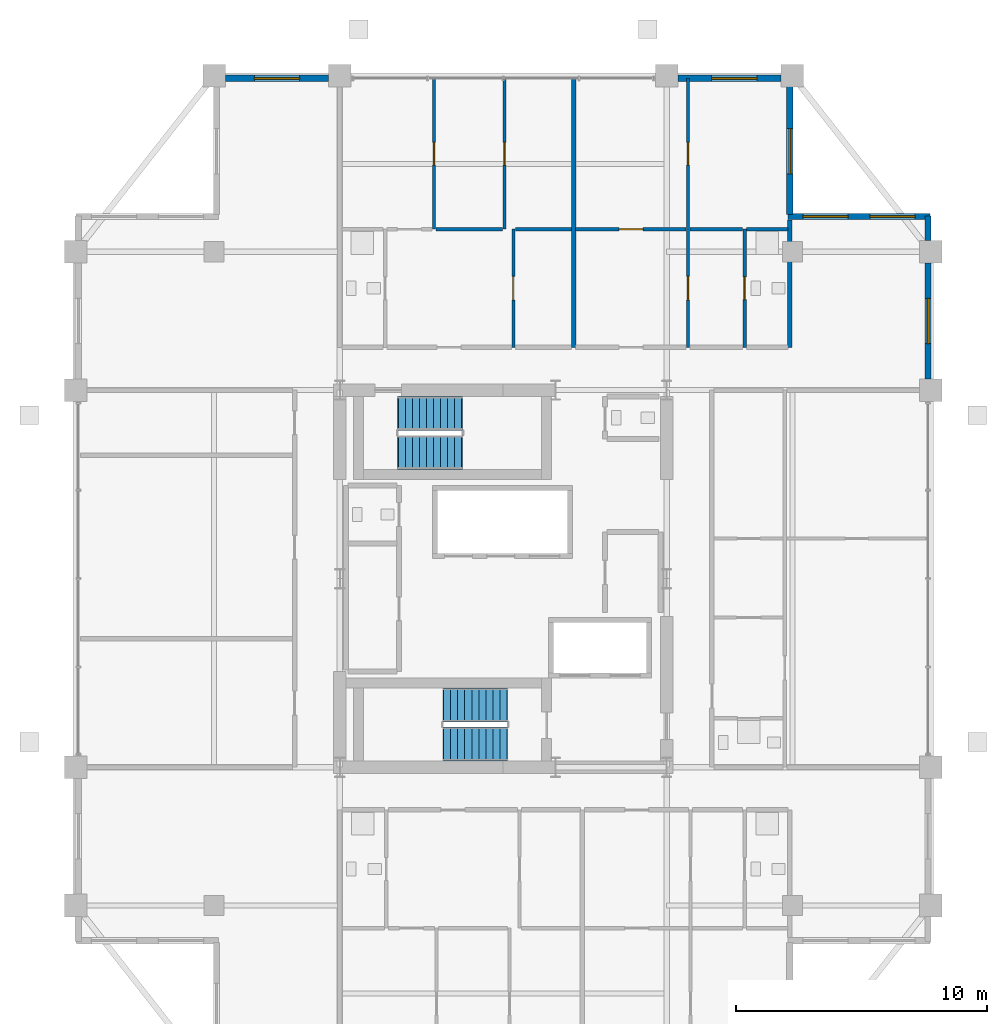
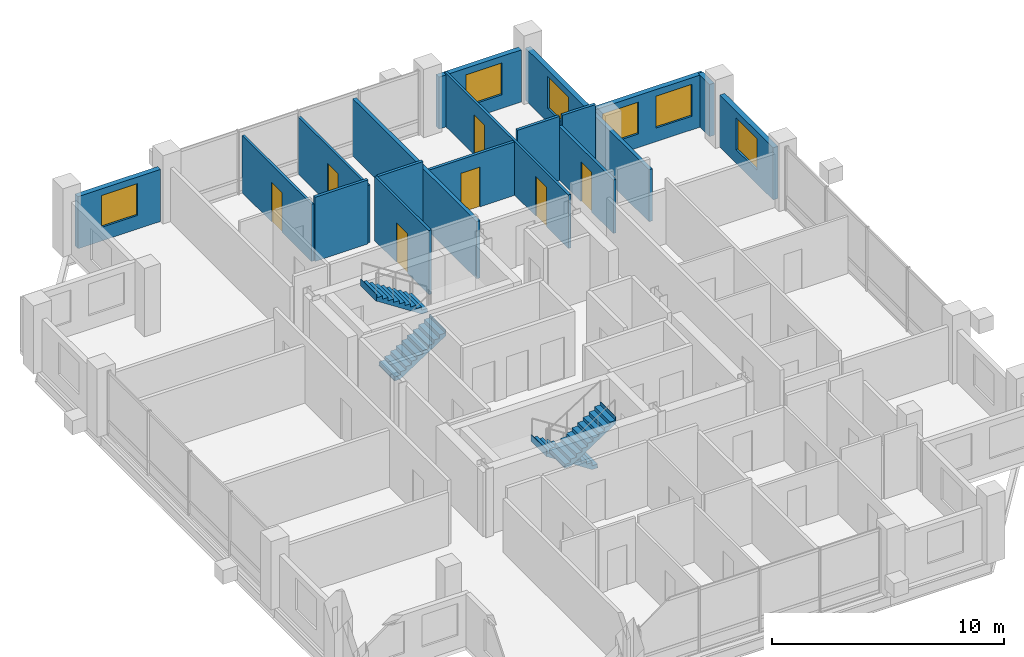
# One storey, part 19 of 21: 18 walls, 7 doors, 6 windows, 4 stair flights, 13 openings, 2 elements without a shape of their own.
"""IFC4 building model written with IfcOpenShell, lengths in metres."""

from ifc_helpers import new_model, si_unit, direction, frame, frame_2d, origin, place, context, subcontext, project, spatial, polyline, rectangle, outline, extrude, material, layer, layer_set, type_object, element, fill, aggregate, save


model = new_model("IFC4")

# Units and contexts
model_context = context("Model", 3, precision=1e-05, world=origin(), true_north=direction((0.0, 1.0)))
body_context = subcontext(model_context, "Body", "Model", "MODEL_VIEW")
ifc_project = project(units=[si_unit("LENGTHUNIT", "METRE"), si_unit("AREAUNIT", "SQUARE_METRE"), si_unit("VOLUMEUNIT", "CUBIC_METRE"), si_unit("PLANEANGLEUNIT", "RADIAN"), si_unit("MASSUNIT", "GRAM", prefix="KILO")], contexts=[model_context])

# Site, building, storey
site_placement = place(None, origin())
site = spatial("IfcSite", under=ifc_project, at=site_placement, CompositionType="ELEMENT")
building_placement = place(site_placement, origin())
building = spatial("IfcBuilding", under=site, at=building_placement, Name="Barlavira Tower and Art Museum", CompositionType="ELEMENT")
storey_placement = place(building_placement, frame((0.0, 0.0, 233.10009765625)))
storey = spatial("IfcBuildingStorey", under=building, at=storey_placement, Name="L60", CompositionType="ELEMENT", Elevation=233.10009765625)

# Wall, opening, door
ifc_material_1 = material(Name="Gypsum acoustic stud partition", Category="gypsum")
ifc_layer_1 = layer(ifc_material_1, 0.1201171875, Name="Gypsum acoustic stud partition")
ifc_layer_set_1 = layer_set([ifc_layer_1], Name="Gypsum acoustic stud partition")
wall_type_1 = type_object("IfcWallType", Name="Apartment Internal Acoustic Partition 120", PredefinedType="PARTITIONING", material=ifc_layer_set_1)
wall_1_placement = place(storey_placement, frame((-2.75, 13.89990234375, 0.0), z_axis=(0.0, 0.0, 1.0), x_axis=(0.0, 1.0, 0.0)))
wall_1 = element("IfcWall", 1, at=wall_1_placement, inside=storey, type_object=wall_type_1, Name="L60 Partition Wall 8", PredefinedType="PARTITIONING", context=body_context, shape_type="SweptSolid", body=[
    extrude(rectangle(XDim=6.0, YDim=0.1201171875, at=frame_2d((3.0, 0.0))), origin(), (0.0, 0.0, 1.0), 3.017822265625),
])
opening_1_placement = place(wall_1_placement, frame((2.550048828125, 0.0, 0.0)))
opening_1 = element("IfcOpeningElement", 2, at=opening_1_placement, cuts=wall_1, Name="Opening D-01", PredefinedType="OPENING", context=body_context, shape_type="SweptSolid", body=[
    extrude(rectangle(XDim=0.89990234375, YDim=2.10009765625, at=frame_2d((0.449951171875, 1.050048828125))), frame((0.0, 0.070068359375, 0.0), z_axis=(0.0, -1.0, 0.0), x_axis=(1.0, 0.0, 0.0)), (0.0, 0.0, 1.0), 0.14013671875),
])
ifc_material_2 = material(Name="Engineered coastal hardwood", Category="wood")
door_type_1 = type_object("IfcDoorType", Name="Internal Bedroom Timber Flush Door 900x2100", OperationType="NOTDEFINED", PredefinedType="DOOR", material=ifc_material_2)
door_1_placement = place(opening_1_placement, origin())
door_1 = element("IfcDoor", 3, at=door_1_placement, inside=storey, type_object=door_type_1, Name="Apartment N1 Bedroom 1 Door", OperationType="SINGLE_SWING_RIGHT", OverallHeight=2.10009765625, OverallWidth=0.89990234375, PredefinedType="DOOR", context=body_context, shape_type="SweptSolid", body=[
    extrude(rectangle(XDim=0.89990234375, YDim=2.10009765625, at=frame_2d((0.449951171875, 1.050048828125))), frame((0.0, 0.02490234375, 0.0), z_axis=(0.0, -1.0, 0.0), x_axis=(1.0, 0.0, 0.0)), (0.0, 0.0, 1.0), 0.050048828125),
])
fill(opening_1, door_1)

wall_2_placement = place(storey_placement, frame((0.050048828125, 13.89990234375, 0.0), z_axis=(0.0, 0.0, 1.0), x_axis=(0.0, 1.0, 0.0)))
wall_2 = element("IfcWall", 4, at=wall_2_placement, inside=storey, type_object=wall_type_1, Name="L60 Partition Wall 10", PredefinedType="PARTITIONING", context=body_context, shape_type="SweptSolid", body=[
    extrude(rectangle(XDim=6.0, YDim=0.1201171875, at=frame_2d((3.0, 0.0))), origin(), (0.0, 0.0, 1.0), 3.017822265625),
])
opening_2_placement = place(wall_2_placement, frame((2.550048828125, 0.0, 0.0)))
opening_2 = element("IfcOpeningElement", 5, at=opening_2_placement, cuts=wall_2, Name="Opening D-01", PredefinedType="OPENING", context=body_context, shape_type="SweptSolid", body=[
    extrude(rectangle(XDim=0.89990234375, YDim=2.10009765625, at=frame_2d((0.449951171875, 1.050048828125))), frame((0.0, 0.070068359375, 0.0), z_axis=(0.0, -1.0, 0.0), x_axis=(1.0, 0.0, 0.0)), (0.0, 0.0, 1.0), 0.14013671875),
])
door_2_placement = place(opening_2_placement, origin())
door_2 = element("IfcDoor", 6, at=door_2_placement, inside=storey, type_object=door_type_1, Name="Apartment N1 Bedroom 2 Door", OperationType="SINGLE_SWING_LEFT", OverallHeight=2.10009765625, OverallWidth=0.89990234375, PredefinedType="DOOR", context=body_context, shape_type="SweptSolid", body=[
    extrude(rectangle(XDim=0.89990234375, YDim=2.10009765625, at=frame_2d((0.449951171875, 1.050048828125))), frame((0.0, 0.02490234375, 0.0), z_axis=(0.0, -1.0, 0.0), x_axis=(1.0, 0.0, 0.0)), (0.0, 0.0, 1.0), 0.050048828125),
])
fill(opening_2, door_2)

wall_3_placement = place(storey_placement, frame((0.39990234375, 9.199951171875, 0.0), z_axis=(0.0, 0.0, 1.0), x_axis=(0.0, 1.0, 0.0)))
wall_3 = element("IfcWall", 7, at=wall_3_placement, inside=storey, type_object=wall_type_1, Name="L60 Partition Wall 12", PredefinedType="PARTITIONING", context=body_context, shape_type="SweptSolid", body=[
    extrude(rectangle(XDim=4.699951171875, YDim=0.1201171875, at=frame_2d((2.35009765625, 0.0))), origin(), (0.0, 0.0, 1.0), 3.3798828125),
])
opening_3_placement = place(wall_3_placement, frame((1.875, 0.0, 0.0)))
opening_3 = element("IfcOpeningElement", 8, at=opening_3_placement, cuts=wall_3, Name="Opening D-02", PredefinedType="OPENING", context=body_context, shape_type="SweptSolid", body=[
    extrude(rectangle(XDim=0.949951171875, YDim=2.10009765625, at=frame_2d((0.47509765625, 1.050048828125))), frame((0.0, 0.070068359375, 0.0), z_axis=(0.0, -1.0, 0.0), x_axis=(1.0, 0.0, 0.0)), (0.0, 0.0, 1.0), 0.14013671875),
])
door_type_2 = type_object("IfcDoorType", Name="Living and Salon Glazed-Leaf Door 950x2100", OperationType="NOTDEFINED", PredefinedType="DOOR", material=ifc_material_2)
door_3_placement = place(opening_3_placement, origin())
door_3 = element("IfcDoor", 9, at=door_3_placement, inside=storey, type_object=door_type_2, Name="Apartment N1 Kitchen Door", OperationType="SINGLE_SWING_RIGHT", OverallHeight=2.10009765625, OverallWidth=0.949951171875, PredefinedType="DOOR", context=body_context, shape_type="SweptSolid", body=[
    extrude(rectangle(XDim=0.949951171875, YDim=2.10009765625, at=frame_2d((0.47509765625, 1.050048828125))), frame((0.0, 0.02490234375, 0.0), z_axis=(0.0, -1.0, 0.0), x_axis=(1.0, 0.0, 0.0)), (0.0, 0.0, 1.0), 0.050048828125),
])
fill(opening_3, door_3)

# Wall, openings, doors
wall_4_placement = place(storey_placement, frame((7.35009765625, 9.199951171875, 0.0), z_axis=(0.0, 0.0, 1.0), x_axis=(0.0, 1.0, 0.0)))
wall_4 = element("IfcWall", 10, at=wall_4_placement, inside=storey, type_object=wall_type_1, Name="L60 Partition Wall 19", PredefinedType="PARTITIONING", context=body_context, shape_type="SweptSolid", body=[
    extrude(rectangle(XDim=10.699951171875, YDim=0.1201171875, at=frame_2d((5.35009765625, 0.0))), origin(), (0.0, 0.0, 1.0), 2.825927734375),
])
opening_4_placement = place(wall_4_placement, frame((1.875, 0.0, 0.0)))
opening_4 = element("IfcOpeningElement", 11, at=opening_4_placement, cuts=wall_4, Name="Opening D-02", PredefinedType="OPENING", context=body_context, shape_type="SweptSolid", body=[
    extrude(rectangle(XDim=0.949951171875, YDim=2.10009765625, at=frame_2d((0.47509765625, 1.050048828125))), frame((0.0, 0.070068359375, 0.0), z_axis=(0.0, -1.0, 0.0), x_axis=(1.0, 0.0, 0.0)), (0.0, 0.0, 1.0), 0.14013671875),
])
opening_5_placement = place(wall_4_placement, frame((7.25, 0.0, 0.0)))
opening_5 = element("IfcOpeningElement", 12, at=opening_5_placement, cuts=wall_4, Name="Opening D-01", PredefinedType="OPENING", context=body_context, shape_type="SweptSolid", body=[
    extrude(rectangle(XDim=0.89990234375, YDim=2.10009765625, at=frame_2d((0.449951171875, 1.050048828125))), frame((0.0, 0.070068359375, 0.0), z_axis=(0.0, -1.0, 0.0), x_axis=(1.0, 0.0, 0.0)), (0.0, 0.0, 1.0), 0.14013671875),
])
door_4_placement = place(opening_5_placement, origin())
door_4 = element("IfcDoor", 13, at=door_4_placement, inside=storey, type_object=door_type_1, Name="Apartment N2 Bedroom 1 Door", OperationType="SINGLE_SWING_RIGHT", OverallHeight=2.10009765625, OverallWidth=0.89990234375, PredefinedType="DOOR", context=body_context, shape_type="SweptSolid", body=[
    extrude(rectangle(XDim=0.89990234375, YDim=2.10009765625, at=frame_2d((0.449951171875, 1.050048828125))), frame((0.0, 0.02490234375, 0.0), z_axis=(0.0, -1.0, 0.0), x_axis=(1.0, 0.0, 0.0)), (0.0, 0.0, 1.0), 0.050048828125),
])
fill(opening_5, door_4)
door_5_placement = place(opening_4_placement, origin())
door_5 = element("IfcDoor", 14, at=door_5_placement, inside=storey, type_object=door_type_2, Name="Apartment N2 Kitchen Door", OperationType="SINGLE_SWING_LEFT", OverallHeight=2.10009765625, OverallWidth=0.949951171875, PredefinedType="DOOR", context=body_context, shape_type="SweptSolid", body=[
    extrude(rectangle(XDim=0.949951171875, YDim=2.10009765625, at=frame_2d((0.47509765625, 1.050048828125))), frame((0.0, 0.02490234375, 0.0), z_axis=(0.0, -1.0, 0.0), x_axis=(1.0, 0.0, 0.0)), (0.0, 0.0, 1.0), 0.050048828125),
])
fill(opening_4, door_5)

# Walls
ifc_layer_2 = layer(ifc_material_1, 0.179931640625, Name="Gypsum acoustic stud partition")
ifc_layer_set_2 = layer_set([ifc_layer_2], Name="Gypsum acoustic stud partition")
wall_type_2 = type_object("IfcWallType", Name="Inter-Tenancy Party Partition Wall 180", PredefinedType="PARTITIONING", material=ifc_layer_set_2)
wall_5_placement = place(storey_placement, frame((2.800048828125, 9.199951171875, 0.0), z_axis=(0.0, 0.0, 1.0), x_axis=(0.0, 1.0, 0.0)))
element("IfcWall", 15, at=wall_5_placement, inside=storey, type_object=wall_type_2, Name="L60 Partition Wall 14", PredefinedType="PARTITIONING", context=body_context, shape_type="SweptSolid", body=[
    extrude(rectangle(XDim=10.699951171875, YDim=0.179931640625, at=frame_2d((5.35009765625, 0.0))), origin(), (0.0, 0.0, 1.0), 3.017822265625),
])
wall_6_placement = place(storey_placement, frame((11.39990234375, 9.199951171875, 0.0), z_axis=(0.0, 0.0, 1.0), x_axis=(0.0, 1.0, 0.0)))
element("IfcWall", 16, at=wall_6_placement, inside=storey, type_object=wall_type_2, Name="L60 Partition Wall 26", PredefinedType="PARTITIONING", context=body_context, shape_type="SweptSolid", body=[
    extrude(rectangle(XDim=5.070068359375, YDim=0.179931640625, at=frame_2d((2.53515625, 0.0))), origin(), (0.0, 0.0, 1.0), 2.747802734375),
])

# Wall, opening, door
ifc_layer_3 = layer(ifc_material_1, 0.139892578125, Name="Gypsum acoustic stud partition")
ifc_layer_set_3 = layer_set([ifc_layer_3], Name="Gypsum acoustic stud partition")
wall_type_3 = type_object("IfcWallType", Name="Moisture-Resistant Bathroom Partition 140", PredefinedType="PARTITIONING", material=ifc_layer_set_3)
wall_7_placement = place(storey_placement, frame((9.60009765625, 9.199951171875, 0.0), z_axis=(0.0, 0.0, 1.0), x_axis=(0.0, 1.0, 0.0)))
wall_7 = element("IfcWall", 17, at=wall_7_placement, inside=storey, type_object=wall_type_3, Name="L60 Partition Wall 23", PredefinedType="PARTITIONING", context=body_context, shape_type="SweptSolid", body=[
    extrude(rectangle(XDim=4.699951171875, YDim=0.139892578125, at=frame_2d((2.35009765625, 0.0))), origin(), (0.0, 0.0, 1.0), 2.825927734375),
])
opening_6_placement = place(wall_7_placement, frame((1.89990234375, 0.0, 0.0)))
opening_6 = element("IfcOpeningElement", 18, at=opening_6_placement, cuts=wall_7, Name="Opening D-WC", PredefinedType="OPENING", context=body_context, shape_type="SweptSolid", body=[
    extrude(rectangle(XDim=0.89990234375, YDim=2.10009765625, at=frame_2d((0.449951171875, 1.050048828125))), frame((0.0, 0.080078125, 0.0), z_axis=(0.0, -1.0, 0.0), x_axis=(1.0, 0.0, 0.0)), (0.0, 0.0, 1.0), 0.159912109375),
])
door_type_3 = type_object("IfcDoorType", Name="Accessible Bathroom Flush Door 900x2100", OperationType="NOTDEFINED", PredefinedType="DOOR", material=ifc_material_2)
door_6_placement = place(opening_6_placement, origin())
door_6 = element("IfcDoor", 19, at=door_6_placement, inside=storey, type_object=door_type_3, Name="Apartment N2 Hall Bathroom Door", OperationType="SINGLE_SWING_RIGHT", OverallHeight=2.10009765625, OverallWidth=0.89990234375, PredefinedType="DOOR", context=body_context, shape_type="SweptSolid", body=[
    extrude(rectangle(XDim=0.89990234375, YDim=2.10009765625, at=frame_2d((0.449951171875, 1.050048828125))), frame((0.0, 0.02490234375, 0.0), z_axis=(0.0, -1.0, 0.0), x_axis=(1.0, 0.0, 0.0)), (0.0, 0.0, 1.0), 0.050048828125),
])
fill(opening_6, door_6)

# Walls
wall_8_placement = place(storey_placement, frame((-2.669921875, 13.89990234375, 0.0), z_axis=(0.0, 0.0, 1.0), x_axis=(1.0, 0.0, 0.0)))
element("IfcWall", 20, at=wall_8_placement, inside=storey, type_object=wall_type_3, Name="L60 Partition Wall 66", PredefinedType="PARTITIONING", context=body_context, shape_type="SweptSolid", body=[
    extrude(rectangle(XDim=2.639892578125, YDim=0.139892578125, at=frame_2d((1.31982421875, 0.0))), origin(), (0.0, 0.0, 1.0), 3.3798828125),
])
wall_9_placement = place(storey_placement, frame((0.47998046875, 13.89990234375, 0.0), z_axis=(0.0, 0.0, 1.0), x_axis=(1.0, 0.0, 0.0)))
element("IfcWall", 21, at=wall_9_placement, inside=storey, type_object=wall_type_3, Name="L60 Partition Wall 67", PredefinedType="PARTITIONING", context=body_context, shape_type="SweptSolid", body=[
    extrude(rectangle(XDim=2.239990234375, YDim=0.139892578125, at=frame_2d((1.1201171875, 0.0))), origin(), (0.0, 0.0, 1.0), 3.3798828125),
])

# Wall, opening, door
wall_10_placement = place(storey_placement, frame((2.8798828125, 13.89990234375, 0.0), z_axis=(0.0, 0.0, 1.0), x_axis=(1.0, 0.0, 0.0)))
wall_10 = element("IfcWall", 22, at=wall_10_placement, inside=storey, type_object=wall_type_3, Name="L60 Partition Wall 68", PredefinedType="PARTITIONING", context=body_context, shape_type="SweptSolid", body=[
    extrude(rectangle(XDim=4.39013671875, YDim=0.139892578125, at=frame_2d((2.195068359375, 0.0))), origin(), (0.0, 0.0, 1.0), 2.825927734375),
])
opening_7_placement = place(wall_10_placement, frame((1.735107421875, 0.0, 0.0)))
opening_7 = element("IfcOpeningElement", 23, at=opening_7_placement, cuts=wall_10, Name="Opening D-02", PredefinedType="OPENING", context=body_context, shape_type="SweptSolid", body=[
    extrude(rectangle(XDim=0.949951171875, YDim=2.10009765625, at=frame_2d((0.47509765625, 1.050048828125))), frame((0.0, 0.080078125, 0.0), z_axis=(0.0, -1.0, 0.0), x_axis=(1.0, 0.0, 0.0)), (0.0, 0.0, 1.0), 0.159912109375),
])
door_7_placement = place(opening_7_placement, origin())
door_7 = element("IfcDoor", 24, at=door_7_placement, inside=storey, type_object=door_type_2, Name="Apartment N2 Living Lounge Door", OperationType="SINGLE_SWING_LEFT", OverallHeight=2.10009765625, OverallWidth=0.949951171875, PredefinedType="DOOR", context=body_context, shape_type="SweptSolid", body=[
    extrude(rectangle(XDim=0.949951171875, YDim=2.10009765625, at=frame_2d((0.47509765625, 1.050048828125))), frame((0.0, 0.02490234375, 0.0), z_axis=(0.0, -1.0, 0.0), x_axis=(1.0, 0.0, 0.0)), (0.0, 0.0, 1.0), 0.050048828125),
])
fill(opening_7, door_7)

# Walls
wall_11_placement = place(storey_placement, frame((7.429931640625, 13.89990234375, 0.0), z_axis=(0.0, 0.0, 1.0), x_axis=(1.0, 0.0, 0.0)))
element("IfcWall", 25, at=wall_11_placement, inside=storey, type_object=wall_type_3, Name="L60 Partition Wall 69", PredefinedType="PARTITIONING", context=body_context, shape_type="SweptSolid", body=[
    extrude(rectangle(XDim=2.090087890625, YDim=0.139892578125, at=frame_2d((1.044921875, 0.0))), origin(), (0.0, 0.0, 1.0), 3.3798828125),
])
wall_12_placement = place(storey_placement, frame((9.679931640625, 13.89990234375, 0.0), z_axis=(0.0, 0.0, 1.0), x_axis=(1.0, 0.0, 0.0)))
element("IfcWall", 26, at=wall_12_placement, inside=storey, type_object=wall_type_3, Name="L60 Partition Wall 70", PredefinedType="PARTITIONING", context=body_context, shape_type="SweptSolid", body=[
    extrude(rectangle(XDim=1.64013671875, YDim=0.139892578125, at=frame_2d((0.820068359375, 0.0))), origin(), (0.0, 0.0, 1.0), 3.3798828125),
])

# Wall, opening, window
ifc_material_3 = material(Name="Precast concrete C40", Category="concrete")
ifc_layer_4 = layer(ifc_material_3, 0.25, Name="Precast concrete C40")
ifc_layer_set_4 = layer_set([ifc_layer_4], Name="Precast concrete C40")
wall_type_4 = type_object("IfcWallType", Name="Notched Corner Spandrel Wall 250 Precast Concrete C40", PredefinedType="SOLIDWALL", material=ifc_layer_set_4)
wall_13_placement = place(storey_placement, frame((11.054931640625, 19.89990234375, 0.0), z_axis=(0.0, 0.0, 1.0), x_axis=(-1.0, 0.0, 0.0)))
wall_13 = element("IfcWall", 27, at=wall_13_placement, inside=storey, type_object=wall_type_4, Name="L60 Coastal Facade Pier Wall CW4-L60-N-1", PredefinedType="SOLIDWALL", context=body_context, shape_type="SweptSolid", body=[
    extrude(rectangle(XDim=4.10986328125, YDim=0.25, at=frame_2d((2.054931640625, 0.0))), origin(), (0.0, 0.0, 1.0), 2.747802734375),
])
opening_8_placement = place(wall_13_placement, frame((0.965087890625, 0.0, 0.719970703125)))
opening_8 = element("IfcOpeningElement", 28, at=opening_8_placement, cuts=wall_13, Name="Opening WN-01", PredefinedType="OPENING", context=body_context, shape_type="SweptSolid", body=[
    extrude(rectangle(XDim=1.800048828125, YDim=1.679931640625, at=frame_2d((0.89990234375, 0.83984375))), frame((0.0, 0.135009765625, 0.0), z_axis=(0.0, -1.0, 0.0), x_axis=(1.0, 0.0, 0.0)), (0.0, 0.0, 1.0), 0.27001953125),
])
ifc_material_4 = material(Name="Low-iron coastal laminated glass", Category="glass")
window_type = type_object("IfcWindowType", Name="Recessed Notch Corner Punch Window 1800x1680", PartitioningType="SINGLE_PANEL", PredefinedType="WINDOW", material=ifc_material_4)
window_1_placement = place(opening_8_placement, origin())
window_1 = element("IfcWindow", 29, at=window_1_placement, inside=storey, type_object=window_type, Name="L60 Punched Facade Window EWP-CW4-L60-N-1-1", OverallHeight=1.679931640625, OverallWidth=1.800048828125, PartitioningType="SINGLE_PANEL", PredefinedType="WINDOW", context=body_context, shape_type="SweptSolid", body=[
    extrude(rectangle(XDim=1.800048828125, YDim=1.679931640625, at=frame_2d((0.89990234375, 0.83984375))), frame((0.0, 0.030029296875, 0.0), z_axis=(0.0, -1.0, 0.0), x_axis=(1.0, 0.0, 0.0)), (0.0, 0.0, 1.0), 0.06005859375),
])
fill(opening_8, window_1)

wall_14_placement = place(storey_placement, frame((-6.945068359375, 19.89990234375, 0.0), z_axis=(0.0, 0.0, 1.0), x_axis=(-1.0, 0.0, 0.0)))
wall_14 = element("IfcWall", 30, at=wall_14_placement, inside=storey, type_object=wall_type_4, Name="L60 Coastal Facade Pier Wall CW4-L60-N-3", PredefinedType="SOLIDWALL", context=body_context, shape_type="SweptSolid", body=[
    extrude(rectangle(XDim=4.10986328125, YDim=0.25, at=frame_2d((2.054931640625, 0.0))), origin(), (0.0, 0.0, 1.0), 2.747802734375),
])
opening_9_placement = place(wall_14_placement, frame((1.155029296875, 0.0, 0.719970703125)))
opening_9 = element("IfcOpeningElement", 31, at=opening_9_placement, cuts=wall_14, Name="Opening WN-01", PredefinedType="OPENING", context=body_context, shape_type="SweptSolid", body=[
    extrude(rectangle(XDim=1.800048828125, YDim=1.679931640625, at=frame_2d((0.89990234375, 0.83984375))), frame((0.0, 0.135009765625, 0.0), z_axis=(0.0, -1.0, 0.0), x_axis=(1.0, 0.0, 0.0)), (0.0, 0.0, 1.0), 0.27001953125),
])
window_2_placement = place(opening_9_placement, origin())
window_2 = element("IfcWindow", 32, at=window_2_placement, inside=storey, type_object=window_type, Name="L60 Punched Facade Window EWP-CW4-L60-N-3-1", OverallHeight=1.679931640625, OverallWidth=1.800048828125, PartitioningType="SINGLE_PANEL", PredefinedType="WINDOW", context=body_context, shape_type="SweptSolid", body=[
    extrude(rectangle(XDim=1.800048828125, YDim=1.679931640625, at=frame_2d((0.89990234375, 0.83984375))), frame((0.0, 0.030029296875, 0.0), z_axis=(0.0, -1.0, 0.0), x_axis=(1.0, 0.0, 0.0)), (0.0, 0.0, 1.0), 0.06005859375),
])
fill(opening_9, window_2)

wall_15_placement = place(storey_placement, frame((16.89990234375, 7.945068359375, 0.0), z_axis=(0.0, 0.0, 1.0), x_axis=(0.0, 1.0, 0.0)))
wall_15 = element("IfcWall", 33, at=wall_15_placement, inside=storey, type_object=wall_type_4, Name="L60 Coastal Facade Pier Wall CW4-L60-E-4", PredefinedType="SOLIDWALL", context=body_context, shape_type="SweptSolid", body=[
    extrude(rectangle(XDim=4.60986328125, YDim=0.25, at=frame_2d((2.304931640625, 0.0))), origin(), (0.0, 0.0, 1.0), 2.747802734375),
])
opening_10_placement = place(wall_15_placement, frame((1.405029296875, 0.0, 0.719970703125)))
opening_10 = element("IfcOpeningElement", 34, at=opening_10_placement, cuts=wall_15, Name="Opening WN-01", PredefinedType="OPENING", context=body_context, shape_type="SweptSolid", body=[
    extrude(rectangle(XDim=1.800048828125, YDim=1.679931640625, at=frame_2d((0.89990234375, 0.83984375))), frame((0.0, 0.135009765625, 0.0), z_axis=(0.0, -1.0, 0.0), x_axis=(1.0, 0.0, 0.0)), (0.0, 0.0, 1.0), 0.27001953125),
])
window_3_placement = place(opening_10_placement, origin())
window_3 = element("IfcWindow", 35, at=window_3_placement, inside=storey, type_object=window_type, Name="L60 Punched Facade Window EWP-CW4-L60-E-4-1", OverallHeight=1.679931640625, OverallWidth=1.800048828125, PartitioningType="SINGLE_PANEL", PredefinedType="WINDOW", context=body_context, shape_type="SweptSolid", body=[
    extrude(rectangle(XDim=1.800048828125, YDim=1.679931640625, at=frame_2d((0.89990234375, 0.83984375))), frame((0.0, 0.030029296875, 0.0), z_axis=(0.0, -1.0, 0.0), x_axis=(1.0, 0.0, 0.0)), (0.0, 0.0, 1.0), 0.06005859375),
])
fill(opening_10, window_3)

# Wall
wall_16_placement = place(storey_placement, frame((16.89990234375, 13.445068359375, 0.0), z_axis=(0.0, 0.0, 1.0), x_axis=(0.0, 1.0, 0.0)))
element("IfcWall", 36, at=wall_16_placement, inside=storey, type_object=wall_type_4, Name="L60 Coastal Facade Pier Wall CW4-L60-E-5", PredefinedType="SOLIDWALL", context=body_context, shape_type="SweptSolid", body=[
    extrude(rectangle(XDim=0.97998046875, YDim=0.25, at=frame_2d((0.489990234375, 0.0))), origin(), (0.0, 0.0, 1.0), 2.747802734375),
])

# Wall, openings, windows
wall_17_placement = place(storey_placement, frame((16.97998046875, 14.39990234375, 0.0), z_axis=(0.0, 0.0, 1.0), x_axis=(-1.0, 0.0, 0.0)))
wall_17 = element("IfcWall", 37, at=wall_17_placement, inside=storey, type_object=wall_type_4, Name="L60 Notch Corner Wall NE1", PredefinedType="SOLIDWALL", context=body_context, shape_type="SweptSolid", body=[
    extrude(rectangle(XDim=5.659912109375, YDim=0.25, at=frame_2d((2.830078125, 0.0))), origin(), (0.0, 0.0, 1.0), 2.747802734375),
])
opening_11_placement = place(wall_17_placement, frame((0.594970703125, 0.0, 0.719970703125)))
opening_11 = element("IfcOpeningElement", 38, at=opening_11_placement, cuts=wall_17, Name="Opening WN-01", PredefinedType="OPENING", context=body_context, shape_type="SweptSolid", body=[
    extrude(rectangle(XDim=1.800048828125, YDim=1.679931640625, at=frame_2d((0.89990234375, 0.83984375))), frame((0.0, 0.135009765625, 0.0), z_axis=(0.0, -1.0, 0.0), x_axis=(1.0, 0.0, 0.0)), (0.0, 0.0, 1.0), 0.27001953125),
])
opening_12_placement = place(wall_17_placement, frame((3.264892578125, 0.0, 0.719970703125)))
opening_12 = element("IfcOpeningElement", 39, at=opening_12_placement, cuts=wall_17, Name="Opening WN-01", PredefinedType="OPENING", context=body_context, shape_type="SweptSolid", body=[
    extrude(rectangle(XDim=1.800048828125, YDim=1.679931640625, at=frame_2d((0.89990234375, 0.83984375))), frame((0.0, 0.135009765625, 0.0), z_axis=(0.0, -1.0, 0.0), x_axis=(1.0, 0.0, 0.0)), (0.0, 0.0, 1.0), 0.27001953125),
])
window_4_placement = place(opening_11_placement, origin())
window_4 = element("IfcWindow", 40, at=window_4_placement, inside=storey, type_object=window_type, Name="L60 Punched Facade Window EW-NTC-L60-NE1-1", OverallHeight=1.679931640625, OverallWidth=1.800048828125, PartitioningType="SINGLE_PANEL", PredefinedType="WINDOW", context=body_context, shape_type="SweptSolid", body=[
    extrude(rectangle(XDim=1.800048828125, YDim=1.679931640625, at=frame_2d((0.89990234375, 0.83984375))), frame((0.0, 0.030029296875, 0.0), z_axis=(0.0, -1.0, 0.0), x_axis=(1.0, 0.0, 0.0)), (0.0, 0.0, 1.0), 0.06005859375),
])
fill(opening_11, window_4)
window_5_placement = place(opening_12_placement, origin())
window_5 = element("IfcWindow", 41, at=window_5_placement, inside=storey, type_object=window_type, Name="L60 Punched Facade Window EW-NTC-L60-NE1-2", OverallHeight=1.679931640625, OverallWidth=1.800048828125, PartitioningType="SINGLE_PANEL", PredefinedType="WINDOW", context=body_context, shape_type="SweptSolid", body=[
    extrude(rectangle(XDim=1.800048828125, YDim=1.679931640625, at=frame_2d((0.89990234375, 0.83984375))), frame((0.0, 0.030029296875, 0.0), z_axis=(0.0, -1.0, 0.0), x_axis=(1.0, 0.0, 0.0)), (0.0, 0.0, 1.0), 0.06005859375),
])
fill(opening_12, window_5)

# Wall, opening, window
wall_18_placement = place(storey_placement, frame((11.39990234375, 14.47998046875, 0.0), z_axis=(0.0, 0.0, 1.0), x_axis=(0.0, 1.0, 0.0)))
wall_18 = element("IfcWall", 42, at=wall_18_placement, inside=storey, type_object=wall_type_4, Name="L60 Notch Corner Wall NE2", PredefinedType="SOLIDWALL", context=body_context, shape_type="SweptSolid", body=[
    extrude(rectangle(XDim=5.340087890625, YDim=0.25, at=frame_2d((2.669921875, 0.0))), origin(), (0.0, 0.0, 1.0), 2.747802734375),
])
opening_13_placement = place(wall_18_placement, frame((1.614990234375, 0.0, 0.719970703125)))
opening_13 = element("IfcOpeningElement", 43, at=opening_13_placement, cuts=wall_18, Name="Opening WN-01", PredefinedType="OPENING", context=body_context, shape_type="SweptSolid", body=[
    extrude(rectangle(XDim=1.800048828125, YDim=1.679931640625, at=frame_2d((0.89990234375, 0.83984375))), frame((0.0, 0.135009765625, 0.0), z_axis=(0.0, -1.0, 0.0), x_axis=(1.0, 0.0, 0.0)), (0.0, 0.0, 1.0), 0.27001953125),
])
window_6_placement = place(opening_13_placement, origin())
window_6 = element("IfcWindow", 44, at=window_6_placement, inside=storey, type_object=window_type, Name="L60 Punched Facade Window EW-NTC-L60-NE2-1", OverallHeight=1.679931640625, OverallWidth=1.800048828125, PartitioningType="SINGLE_PANEL", PredefinedType="WINDOW", context=body_context, shape_type="SweptSolid", body=[
    extrude(rectangle(XDim=1.800048828125, YDim=1.679931640625, at=frame_2d((0.89990234375, 0.83984375))), frame((0.0, 0.030029296875, 0.0), z_axis=(0.0, -1.0, 0.0), x_axis=(1.0, 0.0, 0.0)), (0.0, 0.0, 1.0), 0.06005859375),
])
fill(opening_13, window_6)

# Stair, stair flights
ifc_material_5 = material(Name="Concrete C45", Category="concrete")
stair_type_1 = type_object("IfcStairType", Name="Tower North Dog-Leg Exit Stair Assembly Concrete C45", PredefinedType="TWO_QUARTER_TURN_STAIR", material=ifc_material_5)
stair_1_placement = place(storey_placement, origin())
stair_1 = element("IfcStair", 45, at=stair_1_placement, inside=storey, type_object=stair_type_1, Name="L60 Tower North Exit Stair ST-T2", PredefinedType="TWO_QUARTER_TURN_STAIR")
ifc_material_6 = material(Name="Precast concrete C45", Category="concrete")
stair_flight_type_1 = type_object("IfcStairFlightType", Name="Tower North Dog-Leg Exit Stair Precast Flight 1350 Concrete C45", PredefinedType="STRAIGHT", material=ifc_material_6)
stair_flight_1_placement = place(storey_placement, frame((-4.169921875, 5.02490234375, 0.0), z_axis=(0.0, 0.0, 1.0), x_axis=(1.0, 0.0, 0.0)))
stair_flight_1 = element("IfcStairFlight", 46, at=stair_flight_1_placement, type_object=stair_flight_type_1, Name="ST-T2 flight 1", NumberOfRisers=10, NumberOfTreads=9, PredefinedType="STRAIGHT", RiserHeight=0.18, TreadLength=0.28, context=body_context, shape_type="SweptSolid", body=[
    extrude(outline(polyline([(-0.02490234375, 0.0), (0.0, 0.0), (0.0, 0.179931640625), (0.280029296875, 0.179931640625), (0.280029296875, 0.360107421875), (0.56005859375, 0.360107421875), (0.56005859375, 0.5400390625), (0.840087890625, 0.5400390625), (0.840087890625, 0.719970703125), (1.1201171875, 0.719970703125), (1.1201171875, 0.89990234375), (1.39990234375, 0.89990234375), (1.39990234375, 1.080078125), (1.679931640625, 1.080078125), (1.679931640625, 1.260009765625), (1.9599609375, 1.260009765625), (1.9599609375, 1.43994140625), (2.239990234375, 1.43994140625), (2.239990234375, 1.6201171875), (2.52001953125, 1.6201171875), (2.52001953125, 1.800048828125), (2.544921875, 1.800048828125), (2.544921875, 1.44189453125), (2.52001953125, 1.44189453125), (0.277099609375, -0.02490234375), (-0.02490234375, -0.02490234375), (-0.02490234375, 0.0)])), frame((0.0, 0.675048828125, 0.0), z_axis=(0.0, -1.0, 0.0), x_axis=(1.0, 0.0, 0.0)), (0.0, 0.0, 1.0), 1.35009765625),
])
stair_flight_2_placement = place(storey_placement, frame((-1.64990234375, 6.574951171875, 1.7998046875), z_axis=(0.0, 0.0, 1.0), x_axis=(-1.0, 0.0, 0.0)))
stair_flight_2 = element("IfcStairFlight", 47, at=stair_flight_2_placement, type_object=stair_flight_type_1, Name="ST-T2 flight 2", NumberOfRisers=10, NumberOfTreads=9, PredefinedType="STRAIGHT", RiserHeight=0.18, TreadLength=0.28, context=body_context, shape_type="SweptSolid", body=[
    extrude(outline(polyline([(-0.02490234375, 0.0), (0.0, 0.0), (0.0, 0.179931640625), (0.280029296875, 0.179931640625), (0.280029296875, 0.360107421875), (0.56005859375, 0.360107421875), (0.56005859375, 0.5400390625), (0.840087890625, 0.5400390625), (0.840087890625, 0.719970703125), (1.1201171875, 0.719970703125), (1.1201171875, 0.89990234375), (1.39990234375, 0.89990234375), (1.39990234375, 1.080078125), (1.679931640625, 1.080078125), (1.679931640625, 1.260009765625), (1.9599609375, 1.260009765625), (1.9599609375, 1.43994140625), (2.239990234375, 1.43994140625), (2.239990234375, 1.6201171875), (2.52001953125, 1.6201171875), (2.52001953125, 1.800048828125), (2.544921875, 1.800048828125), (2.544921875, 1.44189453125), (2.52001953125, 1.44189453125), (0.277099609375, -0.02490234375), (-0.02490234375, -0.02490234375), (-0.02490234375, 0.0)])), frame((0.0, 0.675048828125, 0.0), z_axis=(0.0, -1.0, 0.0), x_axis=(1.0, 0.0, 0.0)), (0.0, 0.0, 1.0), 1.35009765625),
])
aggregate(stair_1, [stair_flight_1, stair_flight_2])

stair_type_2 = type_object("IfcStairType", Name="Tower South Dog-Leg Exit Stair Assembly Concrete C45", PredefinedType="TWO_QUARTER_TURN_STAIR", material=ifc_material_5)
stair_2_placement = place(storey_placement, origin())
stair_2 = element("IfcStair", 48, at=stair_2_placement, inside=storey, type_object=stair_type_2, Name="L60 Tower South Exit Stair ST-T1", PredefinedType="TWO_QUARTER_TURN_STAIR")
stair_flight_type_2 = type_object("IfcStairFlightType", Name="Tower South Dog-Leg Exit Stair Precast Flight 1350 Concrete C45", PredefinedType="STRAIGHT", material=ifc_material_6)
stair_flight_3_placement = place(storey_placement, frame((0.14990234375, -5.02490234375, 0.0), z_axis=(0.0, 0.0, 1.0), x_axis=(-1.0, 0.0, 0.0)))
stair_flight_3 = element("IfcStairFlight", 49, at=stair_flight_3_placement, type_object=stair_flight_type_2, Name="ST-T1 flight 1", NumberOfRisers=10, NumberOfTreads=9, PredefinedType="STRAIGHT", RiserHeight=0.18, TreadLength=0.28, context=body_context, shape_type="SweptSolid", body=[
    extrude(outline(polyline([(-0.02490234375, 0.0), (0.0, 0.0), (0.0, 0.179931640625), (0.280029296875, 0.179931640625), (0.280029296875, 0.360107421875), (0.56005859375, 0.360107421875), (0.56005859375, 0.5400390625), (0.840087890625, 0.5400390625), (0.840087890625, 0.719970703125), (1.1201171875, 0.719970703125), (1.1201171875, 0.89990234375), (1.39990234375, 0.89990234375), (1.39990234375, 1.080078125), (1.679931640625, 1.080078125), (1.679931640625, 1.260009765625), (1.9599609375, 1.260009765625), (1.9599609375, 1.43994140625), (2.239990234375, 1.43994140625), (2.239990234375, 1.6201171875), (2.52001953125, 1.6201171875), (2.52001953125, 1.800048828125), (2.544921875, 1.800048828125), (2.544921875, 1.44189453125), (2.52001953125, 1.44189453125), (0.277099609375, -0.02490234375), (-0.02490234375, -0.02490234375), (-0.02490234375, 0.0)])), frame((0.0, 0.675048828125, 0.0), z_axis=(0.0, -1.0, 0.0), x_axis=(1.0, 0.0, 0.0)), (0.0, 0.0, 1.0), 1.35009765625),
])
stair_flight_4_placement = place(storey_placement, frame((-2.3701171875, -6.574951171875, 1.7998046875), z_axis=(0.0, 0.0, 1.0), x_axis=(1.0, 0.0, 0.0)))
stair_flight_4 = element("IfcStairFlight", 50, at=stair_flight_4_placement, type_object=stair_flight_type_2, Name="ST-T1 flight 2", NumberOfRisers=10, NumberOfTreads=9, PredefinedType="STRAIGHT", RiserHeight=0.18, TreadLength=0.28, context=body_context, shape_type="SweptSolid", body=[
    extrude(outline(polyline([(-0.02490234375, 0.0), (0.0, 0.0), (0.0, 0.179931640625), (0.280029296875, 0.179931640625), (0.280029296875, 0.360107421875), (0.56005859375, 0.360107421875), (0.56005859375, 0.5400390625), (0.840087890625, 0.5400390625), (0.840087890625, 0.719970703125), (1.1201171875, 0.719970703125), (1.1201171875, 0.89990234375), (1.39990234375, 0.89990234375), (1.39990234375, 1.080078125), (1.679931640625, 1.080078125), (1.679931640625, 1.260009765625), (1.9599609375, 1.260009765625), (1.9599609375, 1.43994140625), (2.239990234375, 1.43994140625), (2.239990234375, 1.6201171875), (2.52001953125, 1.6201171875), (2.52001953125, 1.800048828125), (2.544921875, 1.800048828125), (2.544921875, 1.44189453125), (2.52001953125, 1.44189453125), (0.277099609375, -0.02490234375), (-0.02490234375, -0.02490234375), (-0.02490234375, 0.0)])), frame((0.0, 0.675048828125, 0.0), z_axis=(0.0, -1.0, 0.0), x_axis=(1.0, 0.0, 0.0)), (0.0, 0.0, 1.0), 1.35009765625),
])
aggregate(stair_2, [stair_flight_3, stair_flight_4])

save(model, "model.ifc")
